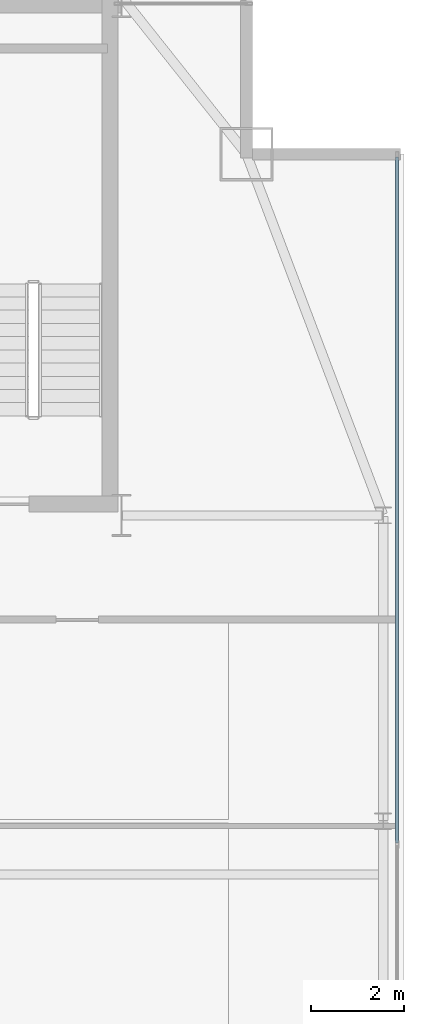
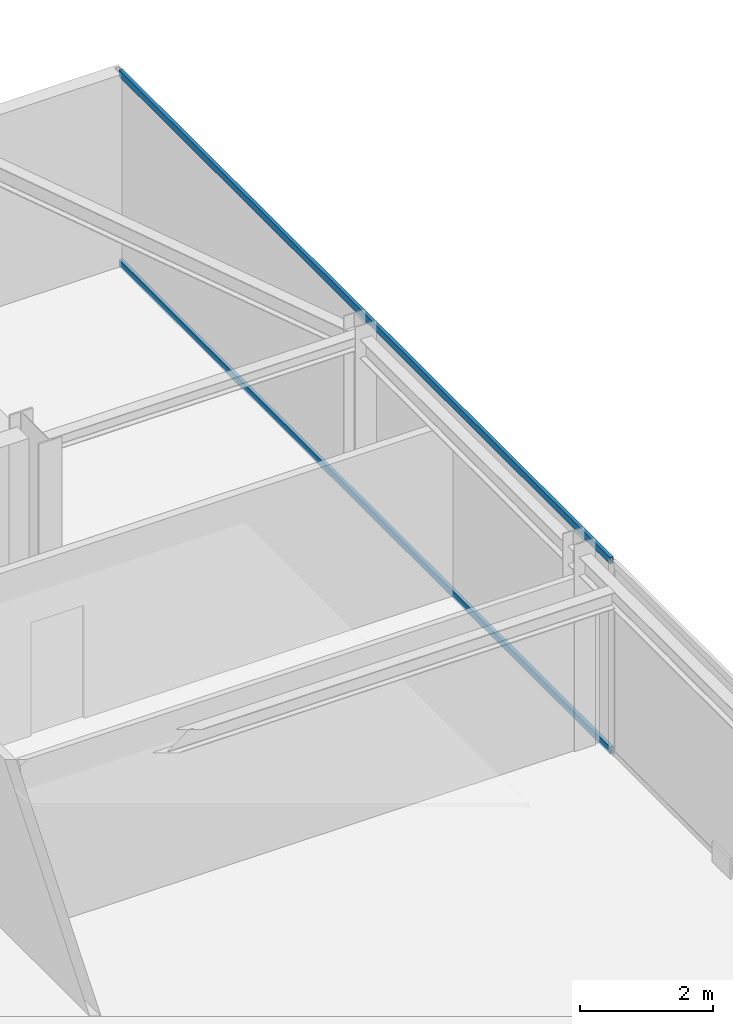
# One storey, part 20 of 30: 2 members, 1 element without a shape of its own.
"""IFC4 building model written with IfcOpenShell, lengths in metres."""

from ifc_helpers import new_model, si_unit, direction, frame, origin, origin_2d, place, context, subcontext, project, spatial, hollow_rectangle, extrude, source, transform, mapped, material, layer, layer_set, material_profile, profile_set, type_object, type_shapes, element, aggregate, save


model = new_model("IFC4")

# Units and contexts
model_context = context("Model", 3, precision=1e-05, world=origin(), true_north=direction((0.0, 1.0)))
body_context = subcontext(model_context, "Body", "Model", "MODEL_VIEW")
ifc_project = project(units=[si_unit("LENGTHUNIT", "METRE"), si_unit("AREAUNIT", "SQUARE_METRE"), si_unit("VOLUMEUNIT", "CUBIC_METRE"), si_unit("PLANEANGLEUNIT", "RADIAN"), si_unit("MASSUNIT", "GRAM", prefix="KILO")], contexts=[model_context])

# Site, building, storey
site_placement = place(None, origin())
site = spatial("IfcSite", under=ifc_project, at=site_placement, CompositionType="ELEMENT")
building_placement = place(site_placement, origin())
building = spatial("IfcBuilding", under=site, at=building_placement, Name="Varnel Quay Broadcast Tower", CompositionType="ELEMENT")
storey_placement = place(building_placement, frame((0.0, 0.0, 207.39990234375)))
storey = spatial("IfcBuildingStorey", under=building, at=storey_placement, Name="L51", CompositionType="ELEMENT", Elevation=207.39990234375)

# Curtain wall, members
ifc_material = material(Name="Anodised Bronze Aluminium 6063-T6", Category="aluminium")
ifc_layer = layer(ifc_material, 0.18994140625, Name="Anodised Bronze Aluminium 6063-T6")
ifc_layer_set = layer_set([ifc_layer], Name="Anodised Bronze Aluminium 6063-T6")
curtain_wall_type = type_object("IfcCurtainWallType", Name="CW_UpperTower", PredefinedType="NOTDEFINED", material=ifc_layer_set)
curtain_wall_placement = place(storey_placement, origin())
curtain_wall = element("IfcCurtainWall", 1, at=curtain_wall_placement, inside=storey, type_object=curtain_wall_type, Name="L51 East Unitised Curtain Wall", PredefinedType="NOTDEFINED")
ifc_material_profile = material_profile(ifc_material, hollow_rectangle(XDim=0.06005859375, YDim=0.125, WallThickness=0.0029296875, at=origin_2d()), Name="ALU60X125X3")
ifc_profile_set = profile_set([ifc_material_profile], Name="Anodised Bronze Aluminium 6063-T6")
member_type = type_object("IfcMemberType", Name="Tran_CWS-03", PredefinedType="USERDEFINED", material=ifc_profile_set)
shared_shape = source(origin(), body_context, "Body", "SweptSolid", [
    extrude(hollow_rectangle(XDim=0.06005859375, YDim=0.125, WallThickness=0.0029296875, at=origin_2d()), origin(), (0.0, 0.0, 1.0), 14.802490234375),
])
type_shapes(member_type, [shared_shape])
member_1_placement = place(storey_placement, frame((58.35009765625, 28.532470703125, 0.030029296875), z_axis=(0.0, 1.0, 0.0), x_axis=(-1.0, 0.0, 0.0)))
member_1 = element("IfcMember", 2, at=member_1_placement, type_object=member_type, Name="CWS-03 transom 2.1", ObjectType="TRANSOM", PredefinedType="USERDEFINED", context=body_context, shape_type="MappedRepresentation", body=[
    mapped(shared_shape, transform((0.0, 0.0, 0.0), x_axis=(1.0, 0.0, 0.0), y_axis=(0.0, 1.0, 0.0), z_axis=(0.0, 0.0, 1.0), scale=1.0)),
])
member_2_placement = place(storey_placement, frame((58.35009765625, 28.532470703125, 3.52001953125), z_axis=(0.0, 1.0, 0.0), x_axis=(-1.0, 0.0, 0.0)))
member_2 = element("IfcMember", 3, at=member_2_placement, type_object=member_type, Name="CWS-03 transom 2.2", ObjectType="TRANSOM", PredefinedType="USERDEFINED", context=body_context, shape_type="MappedRepresentation", body=[
    mapped(shared_shape, transform((0.0, 0.0, 0.0), x_axis=(1.0, 0.0, 0.0), y_axis=(0.0, 1.0, 0.0), z_axis=(0.0, 0.0, 1.0), scale=1.0)),
])
aggregate(curtain_wall, [member_1, member_2])

save(model, "model.ifc")
